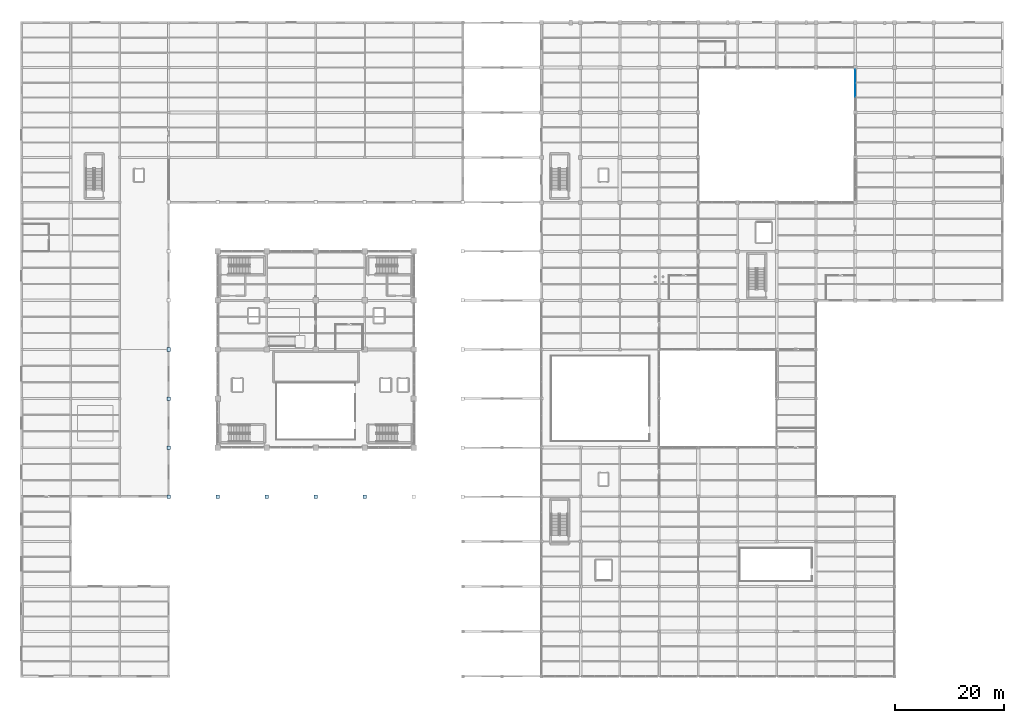
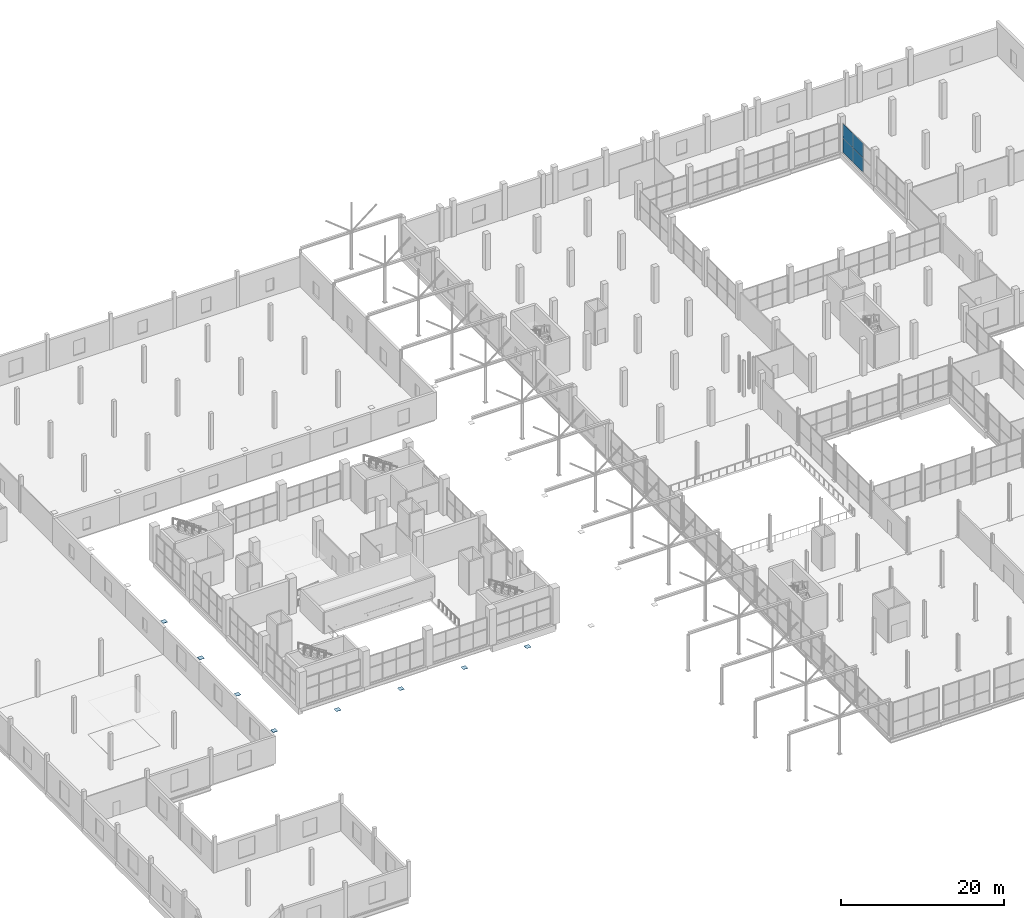
# One storey, part 120 of 147: 12 plates, 1 element without a shape of its own.
"""IFC4 building model written with IfcOpenShell, lengths in metres."""

from ifc_helpers import new_model, si_unit, direction, frame, origin, origin_2d, place, context, subcontext, project, spatial, rectangle, extrude, material, layer, layer_set, type_object, element, aggregate, save


model = new_model("IFC4")

# Units and contexts
model_context = context("Model", 3, precision=1e-05, world=origin(), true_north=direction((0.0, 1.0)))
body_context = subcontext(model_context, "Body", "Model", "MODEL_VIEW")
ifc_project = project(units=[si_unit("LENGTHUNIT", "METRE"), si_unit("AREAUNIT", "SQUARE_METRE"), si_unit("VOLUMEUNIT", "CUBIC_METRE"), si_unit("PLANEANGLEUNIT", "RADIAN"), si_unit("MASSUNIT", "GRAM", prefix="KILO")], contexts=[model_context])

# Site, building, storey
site_placement = place(None, origin())
site = spatial("IfcSite", under=ifc_project, at=site_placement, CompositionType="ELEMENT")
building_placement = place(site_placement, origin())
building = spatial("IfcBuilding", under=site, at=building_placement, Name="Sundgate Opera House", CompositionType="ELEMENT")
storey_placement = place(building_placement, frame((0.0, 0.0, 6.0)))
storey = spatial("IfcBuildingStorey", under=building, at=storey_placement, Name="L01", CompositionType="ELEMENT", Elevation=6.0)

# Curtain wall, plates
ifc_material_1 = material(Name="Anodized aluminium and low-iron glass", Category="aluminium")
ifc_layer_1 = layer(ifc_material_1, 0.159912109375)
ifc_layer_set_1 = layer_set([ifc_layer_1], Name="Anodized aluminium and low-iron glass")
curtain_wall_type = type_object("IfcCurtainWallType", Name="CW-STUDIO-DARK", PredefinedType="NOTDEFINED", material=ifc_layer_set_1)
curtain_wall_placement = place(storey_placement, origin())
curtain_wall = element("IfcCurtainWall", 1, at=curtain_wall_placement, inside=storey, type_object=curtain_wall_type, Name="L01 Curtain Wall CW107", PredefinedType="NOTDEFINED")
ifc_material_2 = material(Name="Low-iron triple acoustic glazing", Category="glass")
ifc_layer_2 = layer(ifc_material_2, 0.035888671875)
ifc_layer_set_2 = layer_set([ifc_layer_2], Name="Low-iron triple acoustic glazing")
plate_type_1 = type_object("IfcPlateType", Name="CWP-CLEAR-36", PredefinedType="CURTAIN_PANEL", material=ifc_layer_set_2)
plate_1_placement = place(storey_placement, frame((153.0, 110.125, 0.02001953125), z_axis=(0.0, 0.0, 1.0), x_axis=(0.0, -1.0, 0.0)))
plate_1 = element("IfcPlate", 2, at=plate_1_placement, type_object=plate_type_1, Name="CW107 Panel 1", PredefinedType="CURTAIN_PANEL", context=body_context, shape_type="SweptSolid", body=[
    extrude(rectangle(XDim=2.4599609375, YDim=0.035888671875, at=origin_2d()), origin(), (0.0, 0.0, 1.0), 2.110107421875),
])
plate_2_placement = place(storey_placement, frame((153.0, 110.125, 2.169921875), z_axis=(0.0, 0.0, 1.0), x_axis=(0.0, -1.0, 0.0)))
plate_2 = element("IfcPlate", 3, at=plate_2_placement, type_object=plate_type_1, Name="CW107 Panel 2", PredefinedType="CURTAIN_PANEL", context=body_context, shape_type="SweptSolid", body=[
    extrude(rectangle(XDim=2.4599609375, YDim=0.035888671875, at=origin_2d()), origin(), (0.0, 0.0, 1.0), 2.175048828125),
])
plate_3_placement = place(storey_placement, frame((153.0, 107.625, 0.02001953125), z_axis=(0.0, 0.0, 1.0), x_axis=(0.0, -1.0, 0.0)))
plate_3 = element("IfcPlate", 4, at=plate_3_placement, type_object=plate_type_1, Name="CW107 Panel 3", PredefinedType="CURTAIN_PANEL", context=body_context, shape_type="SweptSolid", body=[
    extrude(rectangle(XDim=2.4599609375, YDim=0.035888671875, at=origin_2d()), origin(), (0.0, 0.0, 1.0), 2.110107421875),
])
plate_4_placement = place(storey_placement, frame((153.0, 107.625, 2.169921875), z_axis=(0.0, 0.0, 1.0), x_axis=(0.0, -1.0, 0.0)))
plate_4 = element("IfcPlate", 5, at=plate_4_placement, type_object=plate_type_1, Name="CW107 Panel 4", PredefinedType="CURTAIN_PANEL", context=body_context, shape_type="SweptSolid", body=[
    extrude(rectangle(XDim=2.4599609375, YDim=0.035888671875, at=origin_2d()), origin(), (0.0, 0.0, 1.0), 2.175048828125),
])
aggregate(curtain_wall, [plate_1, plate_2, plate_3, plate_4])

# Plates
ifc_material_3 = material(Name="Steel S355J2", Category="steel")
ifc_layer_3 = layer(ifc_material_3, 0.02197265625)
ifc_layer_set_3 = layer_set([ifc_layer_3], Name="Steel S355J2")
plate_type_2 = type_object("IfcPlateType", Name="PT-GUS-22", PredefinedType="USERDEFINED", material=ifc_layer_set_3)
for number, where, z_axis, x_axis, name in (
    (6, (63.0, 33.0, 4.87890625), (0.0, 0.0, 1.0), (1.0, 0.0, 0.0), "Cantilever Node Gusset Plate PT0410"),
    (7, (27.0, 42.0, 4.87890625), (0.0, 0.0, 1.0), (1.0, 0.0, 0.0), "Cantilever Node Gusset Plate PT0424"),
):
    element("IfcPlate", number, at=place(storey_placement, frame(where, z_axis=z_axis, x_axis=x_axis)), inside=storey, type_object=plate_type_2, Name=name, ObjectType="GUSSET PLATE", PredefinedType="USERDEFINED", context=body_context, shape_type="SweptSolid", body=[
        extrude(rectangle(XDim=0.64990234375, YDim=0.64990234375, at=origin_2d()), origin(), (0.0, 0.0, 1.0), 0.02197265625),
    ])
ifc_material_4 = material(Name="Steel S355J2", Category="steel")
ifc_layer_4 = layer(ifc_material_4, 0.02490234375)
ifc_layer_set_4 = layer_set([ifc_layer_4], Name="Steel S355J2")
plate_type_3 = type_object("IfcPlateType", Name="PT-GUS-25", PredefinedType="USERDEFINED", material=ifc_layer_set_4)
plate_5_placement = place(storey_placement, frame((54.0, 33.0, 4.87744140625), z_axis=(0.0, 0.0, 1.0), x_axis=(1.0, 0.0, 0.0)))
element("IfcPlate", 8, at=plate_5_placement, inside=storey, type_object=plate_type_3, Name="Cantilever Node Gusset Plate PT0408", ObjectType="GUSSET PLATE", PredefinedType="USERDEFINED", context=body_context, shape_type="SweptSolid", body=[
    extrude(rectangle(XDim=0.64990234375, YDim=0.64990234375, at=origin_2d()), origin(), (0.0, 0.0, 1.0), 0.02490234375),
])
ifc_material_5 = material(Name="Steel S355J2", Category="steel")
ifc_layer_5 = layer(ifc_material_5, 0.028076171875)
ifc_layer_set_5 = layer_set([ifc_layer_5], Name="Steel S355J2")
plate_type_4 = type_object("IfcPlateType", Name="PT-GUS-28", PredefinedType="USERDEFINED", material=ifc_layer_set_5)
plate_6_placement = place(storey_placement, frame((45.0, 33.0, 4.8759765625), z_axis=(0.0, 0.0, 1.0), x_axis=(1.0, 0.0, 0.0)))
element("IfcPlate", 9, at=plate_6_placement, inside=storey, type_object=plate_type_4, Name="Cantilever Node Gusset Plate PT0406", ObjectType="GUSSET PLATE", PredefinedType="USERDEFINED", context=body_context, shape_type="SweptSolid", body=[
    extrude(rectangle(XDim=0.64990234375, YDim=0.64990234375, at=origin_2d()), origin(), (0.0, 0.0, 1.0), 0.028076171875),
])
ifc_material_6 = material(Name="Steel S355J2", Category="steel")
ifc_layer_6 = layer(ifc_material_6, 0.031982421875)
ifc_layer_set_6 = layer_set([ifc_layer_6], Name="Steel S355J2")
plate_type_5 = type_object("IfcPlateType", Name="PT-GUS-32", PredefinedType="USERDEFINED", material=ifc_layer_set_6)
plate_7_placement = place(storey_placement, frame((36.0, 33.0, 4.8740234375), z_axis=(0.0, 0.0, 1.0), x_axis=(1.0, 0.0, 0.0)))
element("IfcPlate", 10, at=plate_7_placement, inside=storey, type_object=plate_type_5, Name="Cantilever Node Gusset Plate PT0404", ObjectType="GUSSET PLATE", PredefinedType="USERDEFINED", context=body_context, shape_type="SweptSolid", body=[
    extrude(rectangle(XDim=0.64990234375, YDim=0.64990234375, at=origin_2d()), origin(), (0.0, 0.0, 1.0), 0.031982421875),
])
ifc_material_7 = material(Name="Steel S355J2", Category="steel")
ifc_layer_7 = layer(ifc_material_7, 0.0380859375)
ifc_layer_set_7 = layer_set([ifc_layer_7], Name="Steel S355J2")
plate_type_6 = type_object("IfcPlateType", Name="PT-GUS-38", PredefinedType="USERDEFINED", material=ifc_layer_set_7)
plate_8_placement = place(storey_placement, frame((27.0, 51.0, 4.870849609375), z_axis=(0.0, 0.0, 1.0), x_axis=(1.0, 0.0, 0.0)))
element("IfcPlate", 11, at=plate_8_placement, inside=storey, type_object=plate_type_6, Name="Cantilever Node Gusset Plate PT0426", ObjectType="GUSSET PLATE", PredefinedType="USERDEFINED", context=body_context, shape_type="SweptSolid", body=[
    extrude(rectangle(XDim=0.64990234375, YDim=0.64990234375, at=origin_2d()), origin(), (0.0, 0.0, 1.0), 0.0380859375),
])
ifc_material_8 = material(Name="Steel S355J2", Category="steel")
ifc_layer_8 = layer(ifc_material_8, 0.0419921875)
ifc_layer_set_8 = layer_set([ifc_layer_8], Name="Steel S355J2")
plate_type_7 = type_object("IfcPlateType", Name="PT-GUS-42", PredefinedType="USERDEFINED", material=ifc_layer_set_8)
plate_9_placement = place(storey_placement, frame((27.0, 60.0, 4.868896484375), z_axis=(0.0, 0.0, 1.0), x_axis=(1.0, 0.0, 0.0)))
element("IfcPlate", 12, at=plate_9_placement, inside=storey, type_object=plate_type_7, Name="Cantilever Node Gusset Plate PT0428", ObjectType="GUSSET PLATE", PredefinedType="USERDEFINED", context=body_context, shape_type="SweptSolid", body=[
    extrude(rectangle(XDim=0.64990234375, YDim=0.64990234375, at=origin_2d()), origin(), (0.0, 0.0, 1.0), 0.0419921875),
])
ifc_material_9 = material(Name="Steel S355J2", Category="steel")
ifc_layer_9 = layer(ifc_material_9, 0.048095703125)
ifc_layer_set_9 = layer_set([ifc_layer_9], Name="Steel S355J2")
plate_type_8 = type_object("IfcPlateType", Name="PT-GUS-48", PredefinedType="USERDEFINED", material=ifc_layer_set_9)
plate_10_placement = place(storey_placement, frame((27.0, 33.0, 4.86572265625), z_axis=(0.0, 0.0, 1.0), x_axis=(1.0, 0.0, 0.0)))
element("IfcPlate", 13, at=plate_10_placement, inside=storey, type_object=plate_type_8, Name="Cantilever Node Gusset Plate PT0444", ObjectType="GUSSET PLATE", PredefinedType="USERDEFINED", context=body_context, shape_type="SweptSolid", body=[
    extrude(rectangle(XDim=0.64990234375, YDim=0.64990234375, at=origin_2d()), origin(), (0.0, 0.0, 1.0), 0.048095703125),
])

save(model, "model.ifc")
